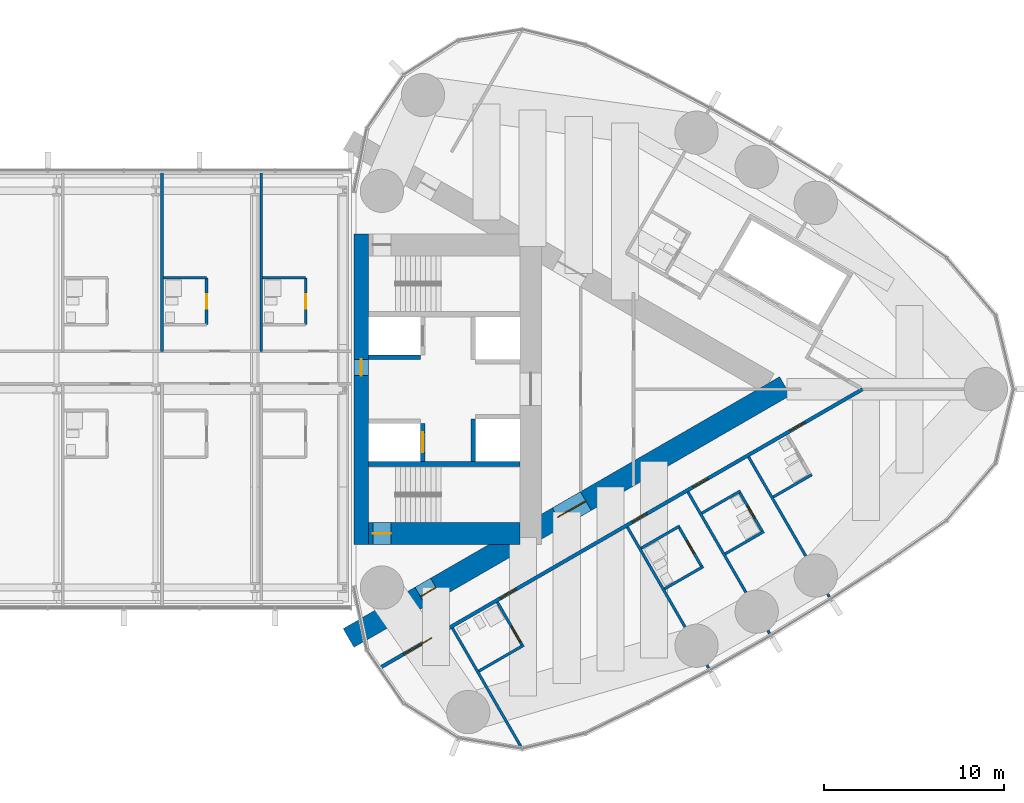
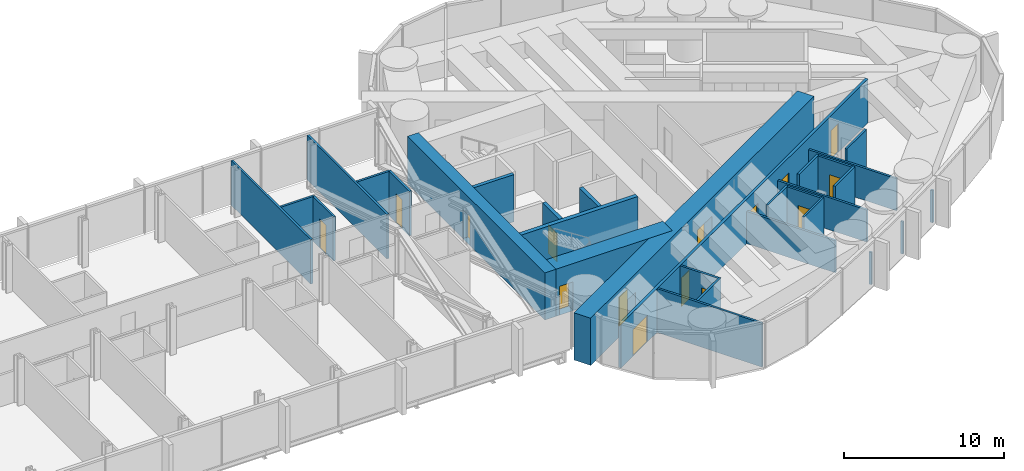
# One storey, part 19 of 23: 30 walls, 15 doors, 15 openings.
"""IFC4 building model written with IfcOpenShell, lengths in metres."""

from ifc_helpers import new_model, si_unit, direction, frame, frame_2d, origin, place, context, subcontext, project, spatial, rectangle, extrude, material, layer, layer_set, type_object, element, fill, save


model = new_model("IFC4")

# Units and contexts
model_context = context("Model", 3, precision=1e-05, world=origin(), true_north=direction((0.0, 1.0)))
body_context = subcontext(model_context, "Body", "Model", "MODEL_VIEW")
ifc_project = project(units=[si_unit("LENGTHUNIT", "METRE"), si_unit("AREAUNIT", "SQUARE_METRE"), si_unit("VOLUMEUNIT", "CUBIC_METRE"), si_unit("PLANEANGLEUNIT", "RADIAN"), si_unit("MASSUNIT", "GRAM", prefix="KILO")], contexts=[model_context])

# Site, building, storey
site_placement = place(None, origin())
site = spatial("IfcSite", under=ifc_project, at=site_placement, CompositionType="ELEMENT")
building_placement = place(site_placement, origin())
building = spatial("IfcBuilding", under=site, at=building_placement, Name="Lancet Gate Hotel", CompositionType="ELEMENT")
storey_placement = place(building_placement, frame((0.0, 0.0, 240.5)))
storey = spatial("IfcBuildingStorey", under=building, at=storey_placement, Name="L64", CompositionType="ELEMENT", Elevation=240.5)

# Wall
ifc_material_1 = material(Name="Moisture resistant board partition")
ifc_layer_1 = layer(ifc_material_1, 0.14990234375)
ifc_layer_set_1 = layer_set([ifc_layer_1], Name="Bathroom wall 150")
wall_type_1 = type_object("IfcWallType", Name="Bathroom wall 150", PredefinedType="PARTITIONING", material=ifc_layer_set_1)
wall_1_placement = place(storey_placement, frame((34.425048828125, -15.633056640625, 0.0), z_axis=(0.0, 0.0, 1.0), x_axis=(0.866018712932, 0.500011588718, 0.0)))
element("IfcWall", 1, at=wall_1_placement, inside=storey, type_object=wall_type_1, Name="T2 bathroom wall 150 L64", PredefinedType="PARTITIONING", context=body_context, shape_type="SweptSolid", body=[
    extrude(rectangle(XDim=2.875, YDim=0.14990234375, at=frame_2d((1.4375, 0.0))), origin(), (0.0, 0.0, 1.0), 3.35009765625),
])

# Wall, opening, door
wall_2_placement = place(storey_placement, frame((35.449951171875, -11.80810546875, 0.0), z_axis=(0.0, 0.0, 1.0), x_axis=(0.49994636267, -0.866056369097, 0.0)))
wall_2 = element("IfcWall", 2, at=wall_2_placement, inside=storey, type_object=wall_type_1, Name="T2 bathroom wall 150 L64", PredefinedType="PARTITIONING", context=body_context, shape_type="SweptSolid", body=[
    extrude(rectangle(XDim=2.800048828125, YDim=0.14990234375, at=frame_2d((1.39990234375, 0.0))), origin(), (0.0, 0.0, 1.0), 3.35009765625),
])
opening_1_placement = place(wall_2_placement, frame((1.550048828125, 0.0, 0.0)))
opening_1 = element("IfcOpeningElement", 3, at=opening_1_placement, cuts=wall_2, Name="Opening 6452-B", PredefinedType="OPENING", context=body_context, shape_type="SweptSolid", body=[
    extrude(rectangle(XDim=1.0, YDim=2.199951171875, at=frame_2d((0.5, 1.10009765625))), frame((0.0, 0.0849609375, 0.0), z_axis=(0.0, -1.0, 0.0), x_axis=(1.0, 0.0, 0.0)), (0.0, 0.0, 1.0), 0.169921875),
])
ifc_material_2 = material(Name="Timber door set", Category="wood")
door_type_1 = type_object("IfcDoorType", Name="Accessible en-suite door 1000", OperationType="SINGLE_SWING_RIGHT", PredefinedType="DOOR", material=ifc_material_2)
door_1_placement = place(opening_1_placement, origin())
door_1 = element("IfcDoor", 4, at=door_1_placement, inside=storey, type_object=door_type_1, Name="6452-B", OperationType="SINGLE_SWING_RIGHT", OverallHeight=2.199951171875, OverallWidth=1.0, PredefinedType="DOOR", context=body_context, shape_type="SweptSolid", body=[
    extrude(rectangle(XDim=1.0, YDim=2.199951171875, at=frame_2d((0.5, 1.10009765625))), frame((0.0, 0.02490234375, 0.0), z_axis=(0.0, -1.0, 0.0), x_axis=(1.0, 0.0, 0.0)), (0.0, 0.0, 1.0), 0.050048828125),
])
fill(opening_1, door_1)

# Wall
wall_3_placement = place(storey_placement, frame((44.724609375, -11.072265625, 0.0), z_axis=(0.0, 0.0, 1.0), x_axis=(0.866006523861, 0.500032699561, 0.0)))
element("IfcWall", 5, at=wall_3_placement, inside=storey, type_object=wall_type_1, Name="T2 bathroom wall 150 L64", PredefinedType="PARTITIONING", context=body_context, shape_type="SweptSolid", body=[
    extrude(rectangle(XDim=2.474853515625, YDim=0.14990234375, at=frame_2d((1.2373046875, 0.0))), origin(), (0.0, 0.0, 1.0), 3.35009765625),
])

# Wall, opening, door
wall_4_placement = place(storey_placement, frame((45.5029296875, -7.62060546875, 0.0), z_axis=(0.0, 0.0, 1.0), x_axis=(0.500006934395, -0.866021400173, 0.0)))
wall_4 = element("IfcWall", 6, at=wall_4_placement, inside=storey, type_object=wall_type_1, Name="T2 bathroom wall 150 L64", PredefinedType="PARTITIONING", context=body_context, shape_type="SweptSolid", body=[
    extrude(rectangle(XDim=2.60009765625, YDim=0.14990234375, at=frame_2d((1.300048828125, 0.0))), origin(), (0.0, 0.0, 1.0), 3.35009765625),
])
opening_2_placement = place(wall_4_placement, frame((0.89990234375, 0.0, 0.0)))
opening_2 = element("IfcOpeningElement", 7, at=opening_2_placement, cuts=wall_4, Name="Opening 6453-B", PredefinedType="OPENING", context=body_context, shape_type="SweptSolid", body=[
    extrude(rectangle(XDim=0.800048828125, YDim=2.199951171875, at=frame_2d((0.39990234375, 1.10009765625))), frame((0.0, 0.0849609375, 0.0), z_axis=(0.0, -1.0, 0.0), x_axis=(1.0, 0.0, 0.0)), (0.0, 0.0, 1.0), 0.169921875),
])
ifc_material_3 = material(Name="Timber door set", Category="wood")
door_type_2 = type_object("IfcDoorType", Name="Bathroom door 800", OperationType="SINGLE_SWING_RIGHT", PredefinedType="DOOR", material=ifc_material_3)
door_2_placement = place(opening_2_placement, origin())
door_2 = element("IfcDoor", 8, at=door_2_placement, inside=storey, type_object=door_type_2, Name="6453-B", OperationType="SINGLE_SWING_RIGHT", OverallHeight=2.199951171875, OverallWidth=0.800048828125, PredefinedType="DOOR", context=body_context, shape_type="SweptSolid", body=[
    extrude(rectangle(XDim=0.800048828125, YDim=2.199951171875, at=frame_2d((0.39990234375, 1.10009765625))), frame((0.0, 0.02490234375, 0.0), z_axis=(0.0, -1.0, 0.0), x_axis=(1.0, 0.0, 0.0)), (0.0, 0.0, 1.0), 0.050048828125),
])
fill(opening_2, door_2)

# Walls
for number, where, z_axis, x_axis, name in (
    (9, (43.424560546875, -8.820556640625, 0.0), (0.0, 0.0, 1.0), (0.866006523861, 0.500032699561, 0.0), "T2 bathroom wall 150 L64"),
    (10, (48.087890625, -9.13037109375, 0.0), (0.0, 0.0, 1.0), (0.86604923931, 0.499958713387, 0.0), "T2 bathroom wall 150 L64"),
):
    element("IfcWall", number, at=place(storey_placement, frame(where, z_axis=z_axis, x_axis=x_axis)), inside=storey, type_object=wall_type_1, Name=name, PredefinedType="PARTITIONING", context=body_context, shape_type="SweptSolid", body=[
        extrude(rectangle(XDim=2.474853515625, YDim=0.14990234375, at=frame_2d((1.2373046875, 0.0))), origin(), (0.0, 0.0, 1.0), 3.35009765625),
    ])

# Wall, opening, door
wall_5_placement = place(storey_placement, frame((48.8662109375, -5.6787109375, 0.0), z_axis=(0.0, 0.0, 1.0), x_axis=(0.500006934395, -0.866021400173, 0.0)))
wall_5 = element("IfcWall", 11, at=wall_5_placement, inside=storey, type_object=wall_type_1, Name="T2 bathroom wall 150 L64", PredefinedType="PARTITIONING", context=body_context, shape_type="SweptSolid", body=[
    extrude(rectangle(XDim=2.60009765625, YDim=0.14990234375, at=frame_2d((1.300048828125, 0.0))), origin(), (0.0, 0.0, 1.0), 3.35009765625),
])
opening_3_placement = place(wall_5_placement, frame((0.89990234375, 0.0, 0.0)))
opening_3 = element("IfcOpeningElement", 12, at=opening_3_placement, cuts=wall_5, Name="Opening 6454-B", PredefinedType="OPENING", context=body_context, shape_type="SweptSolid", body=[
    extrude(rectangle(XDim=0.800048828125, YDim=2.199951171875, at=frame_2d((0.39990234375, 1.10009765625))), frame((0.0, 0.0849609375, 0.0), z_axis=(0.0, -1.0, 0.0), x_axis=(1.0, 0.0, 0.0)), (0.0, 0.0, 1.0), 0.169921875),
])
door_3_placement = place(opening_3_placement, origin())
door_3 = element("IfcDoor", 13, at=door_3_placement, inside=storey, type_object=door_type_2, Name="6454-B", OperationType="SINGLE_SWING_RIGHT", OverallHeight=2.199951171875, OverallWidth=0.800048828125, PredefinedType="DOOR", context=body_context, shape_type="SweptSolid", body=[
    extrude(rectangle(XDim=0.800048828125, YDim=2.199951171875, at=frame_2d((0.39990234375, 1.10009765625))), frame((0.0, 0.02490234375, 0.0), z_axis=(0.0, -1.0, 0.0), x_axis=(1.0, 0.0, 0.0)), (0.0, 0.0, 1.0), 0.050048828125),
])
fill(opening_3, door_3)

# Walls
wall_6_placement = place(storey_placement, frame((46.787841796875, -6.87890625, 0.0), z_axis=(0.0, 0.0, 1.0), x_axis=(0.866006523861, 0.500032699561, 0.0)))
element("IfcWall", 14, at=wall_6_placement, inside=storey, type_object=wall_type_1, Name="T2 bathroom wall 150 L64", PredefinedType="PARTITIONING", context=body_context, shape_type="SweptSolid", body=[
    extrude(rectangle(XDim=2.474853515625, YDim=0.14990234375, at=frame_2d((1.2373046875, 0.0))), origin(), (0.0, 0.0, 1.0), 3.35009765625),
])
wall_7_placement = place(storey_placement, frame((50.75, -5.976806640625, 0.0), z_axis=(0.0, 0.0, 1.0), x_axis=(0.866031185235, 0.4999899861, 0.0)))
element("IfcWall", 15, at=wall_7_placement, inside=storey, type_object=wall_type_1, Name="T2 bathroom wall 150 L64", PredefinedType="PARTITIONING", context=body_context, shape_type="SweptSolid", body=[
    extrude(rectangle(XDim=2.47509765625, YDim=0.14990234375, at=frame_2d((1.237548828125, 0.0))), origin(), (0.0, 0.0, 1.0), 3.35009765625),
])
wall_8_placement = place(storey_placement, frame((16.925048828125, 6.175048828125, 0.0), z_axis=(0.0, 0.0, 1.0), x_axis=(1.0, 0.0, 0.0)))
element("IfcWall", 16, at=wall_8_placement, inside=storey, type_object=wall_type_1, Name="Bridge block bathroom wall 150 L64", PredefinedType="PARTITIONING", context=body_context, shape_type="SweptSolid", body=[
    extrude(rectangle(XDim=2.39990234375, YDim=0.14990234375, at=frame_2d((1.199951171875, 0.0))), origin(), (0.0, 0.0, 1.0), 3.39990234375),
])

# Wall, opening, door
wall_9_placement = place(storey_placement, frame((19.324951171875, 3.574951171875, 0.0), z_axis=(0.0, 0.0, 1.0), x_axis=(0.0, 1.0, 0.0)))
wall_9 = element("IfcWall", 17, at=wall_9_placement, inside=storey, type_object=wall_type_1, Name="Bridge block bathroom wall 150 L64", PredefinedType="PARTITIONING", context=body_context, shape_type="SweptSolid", body=[
    extrude(rectangle(XDim=2.60009765625, YDim=0.14990234375, at=frame_2d((1.300048828125, 0.0))), origin(), (0.0, 0.0, 1.0), 3.39990234375),
])
opening_4_placement = place(wall_9_placement, frame((0.89990234375, 0.0, 0.0)))
opening_4 = element("IfcOpeningElement", 18, at=opening_4_placement, cuts=wall_9, Name="Opening B6419-B", PredefinedType="OPENING", context=body_context, shape_type="SweptSolid", body=[
    extrude(rectangle(XDim=0.800048828125, YDim=2.199951171875, at=frame_2d((0.39990234375, 1.10009765625))), frame((0.0, 0.0849609375, 0.0), z_axis=(0.0, -1.0, 0.0), x_axis=(1.0, 0.0, 0.0)), (0.0, 0.0, 1.0), 0.169921875),
])
door_4_placement = place(opening_4_placement, origin())
door_4 = element("IfcDoor", 19, at=door_4_placement, inside=storey, type_object=door_type_2, Name="B6419-B", OperationType="SINGLE_SWING_RIGHT", OverallHeight=2.199951171875, OverallWidth=0.800048828125, PredefinedType="DOOR", context=body_context, shape_type="SweptSolid", body=[
    extrude(rectangle(XDim=0.800048828125, YDim=2.199951171875, at=frame_2d((0.39990234375, 1.10009765625))), frame((0.0, 0.02490234375, 0.0), z_axis=(0.0, -1.0, 0.0), x_axis=(1.0, 0.0, 0.0)), (0.0, 0.0, 1.0), 0.050048828125),
])
fill(opening_4, door_4)

# Wall
wall_10_placement = place(storey_placement, frame((22.425048828125, 6.175048828125, 0.0), z_axis=(0.0, 0.0, 1.0), x_axis=(1.0, 0.0, 0.0)))
element("IfcWall", 20, at=wall_10_placement, inside=storey, type_object=wall_type_1, Name="Bridge block bathroom wall 150 L64", PredefinedType="PARTITIONING", context=body_context, shape_type="SweptSolid", body=[
    extrude(rectangle(XDim=2.39990234375, YDim=0.14990234375, at=frame_2d((1.199951171875, 0.0))), origin(), (0.0, 0.0, 1.0), 3.39990234375),
])

# Wall, opening, door
wall_11_placement = place(storey_placement, frame((24.824951171875, 3.574951171875, 0.0), z_axis=(0.0, 0.0, 1.0), x_axis=(0.0, 1.0, 0.0)))
wall_11 = element("IfcWall", 21, at=wall_11_placement, inside=storey, type_object=wall_type_1, Name="Bridge block bathroom wall 150 L64", PredefinedType="PARTITIONING", context=body_context, shape_type="SweptSolid", body=[
    extrude(rectangle(XDim=2.60009765625, YDim=0.14990234375, at=frame_2d((1.300048828125, 0.0))), origin(), (0.0, 0.0, 1.0), 3.39990234375),
])
opening_5_placement = place(wall_11_placement, frame((0.89990234375, 0.0, 0.0)))
opening_5 = element("IfcOpeningElement", 22, at=opening_5_placement, cuts=wall_11, Name="Opening B6420-B", PredefinedType="OPENING", context=body_context, shape_type="SweptSolid", body=[
    extrude(rectangle(XDim=0.800048828125, YDim=2.199951171875, at=frame_2d((0.39990234375, 1.10009765625))), frame((0.0, 0.0849609375, 0.0), z_axis=(0.0, -1.0, 0.0), x_axis=(1.0, 0.0, 0.0)), (0.0, 0.0, 1.0), 0.169921875),
])
door_5_placement = place(opening_5_placement, origin())
door_5 = element("IfcDoor", 23, at=door_5_placement, inside=storey, type_object=door_type_2, Name="B6420-B", OperationType="SINGLE_SWING_RIGHT", OverallHeight=2.199951171875, OverallWidth=0.800048828125, PredefinedType="DOOR", context=body_context, shape_type="SweptSolid", body=[
    extrude(rectangle(XDim=0.800048828125, YDim=2.199951171875, at=frame_2d((0.39990234375, 1.10009765625))), frame((0.0, 0.02490234375, 0.0), z_axis=(0.0, -1.0, 0.0), x_axis=(1.0, 0.0, 0.0)), (0.0, 0.0, 1.0), 0.050048828125),
])
fill(opening_5, door_5)

# Wall, openings, doors
ifc_material_4 = material(Name="Concrete C70/85", Category="concrete")
ifc_layer_2 = layer(ifc_material_4, 1.199951171875)
ifc_layer_set_2 = layer_set([ifc_layer_2], Name="Buttress wall 1200")
wall_type_2 = type_object("IfcWallType", Name="Buttress wall 1200", PredefinedType="SHEAR", material=ifc_layer_set_2)
wall_12_placement = place(storey_placement, frame((27.199951171875, -13.800048828125, 0.0), z_axis=(0.0, 0.0, 1.0), x_axis=(0.866027159892, 0.499996958321, 0.0)))
wall_12 = element("IfcWall", 24, at=wall_12_placement, inside=storey, type_object=wall_type_2, Name="T2 buttress wall S L64", PredefinedType="SHEAR", context=body_context, shape_type="SweptSolid", body=[
    extrude(rectangle(XDim=27.946533203125, YDim=1.199951171875, at=frame_2d((13.97314453125, 0.0))), origin(), (0.0, 0.0, 1.0), 3.60009765625),
])
opening_6_placement = place(wall_12_placement, frame((4.60009765625, 0.0, 0.0)))
opening_6 = element("IfcOpeningElement", 25, at=opening_6_placement, cuts=wall_12, Name="Opening T2-L64-LS", PredefinedType="OPENING", context=body_context, shape_type="SweptSolid", body=[
    extrude(rectangle(XDim=1.0, YDim=2.199951171875, at=frame_2d((0.5, 1.10009765625))), frame((0.0, 0.60986328125, 0.0), z_axis=(0.0, -1.0, 0.0), x_axis=(1.0, 0.0, 0.0)), (0.0, 0.0, 1.0), 1.219970703125),
])
opening_7_placement = place(wall_12_placement, frame((13.39453125, 0.0, 0.0)))
opening_7 = element("IfcOpeningElement", 26, at=opening_7_placement, cuts=wall_12, Name="Opening T2-L64-LHS", PredefinedType="OPENING", context=body_context, shape_type="SweptSolid", body=[
    extrude(rectangle(XDim=1.800048828125, YDim=2.199951171875, at=frame_2d((0.89990234375, 1.10009765625))), frame((0.0, 0.60986328125, 0.0), z_axis=(0.0, -1.0, 0.0), x_axis=(1.0, 0.0, 0.0)), (0.0, 0.0, 1.0), 1.219970703125),
])
ifc_material_5 = material(Name="Timber door set", Category="wood")
door_type_3 = type_object("IfcDoorType", Name="Lobby double door 1800", OperationType="DOUBLE_DOOR_SINGLE_SWING", PredefinedType="DOOR", material=ifc_material_5)
door_6_placement = place(opening_7_placement, origin())
door_6 = element("IfcDoor", 27, at=door_6_placement, inside=storey, type_object=door_type_3, Name="T2-L64-LHS", OperationType="DOUBLE_DOOR_SINGLE_SWING", OverallHeight=2.199951171875, OverallWidth=1.800048828125, PredefinedType="DOOR", context=body_context, shape_type="SweptSolid", body=[
    extrude(rectangle(XDim=1.800048828125, YDim=2.199951171875, at=frame_2d((0.89990234375, 1.10009765625))), frame((0.0, 0.02490234375, 0.0), z_axis=(0.0, -1.0, 0.0), x_axis=(1.0, 0.0, 0.0)), (0.0, 0.0, 1.0), 0.050048828125),
])
fill(opening_7, door_6)
ifc_material_6 = material(Name="Timber door set", Category="wood")
door_type_4 = type_object("IfcDoorType", Name="Stair lobby door 1000", OperationType="SINGLE_SWING_LEFT", PredefinedType="DOOR", material=ifc_material_6)
door_7_placement = place(opening_6_placement, origin())
door_7 = element("IfcDoor", 28, at=door_7_placement, inside=storey, type_object=door_type_4, Name="T2-L64-LS", OperationType="SINGLE_SWING_LEFT", OverallHeight=2.199951171875, OverallWidth=1.0, PredefinedType="DOOR", context=body_context, shape_type="SweptSolid", body=[
    extrude(rectangle(XDim=1.0, YDim=2.199951171875, at=frame_2d((0.5, 1.10009765625))), frame((0.0, 0.02490234375, 0.0), z_axis=(0.0, -1.0, 0.0), x_axis=(1.0, 0.0, 0.0)), (0.0, 0.0, 1.0), 0.050048828125),
])
fill(opening_6, door_7)

# Wall, opening, door
ifc_material_7 = material(Name="Concrete C70/85", Category="concrete")
ifc_layer_3 = layer(ifc_material_7, 1.199951171875)
ifc_layer_set_3 = layer_set([ifc_layer_3], Name="Core wall 1200")
wall_type_3 = type_object("IfcWallType", Name="Core wall 1200", PredefinedType="SHEAR", material=ifc_layer_set_3)
wall_13_placement = place(storey_placement, frame((28.300048828125, -8.0, 0.0), z_axis=(0.0, 0.0, 1.0), x_axis=(1.0, 0.0, 0.0)))
wall_13 = element("IfcWall", 29, at=wall_13_placement, inside=storey, type_object=wall_type_3, Name="T2 core wall side-S L64", PredefinedType="SHEAR", context=body_context, shape_type="SweptSolid", body=[
    extrude(rectangle(XDim=8.39990234375, YDim=1.199951171875, at=frame_2d((4.199951171875, 0.0))), origin(), (0.0, 0.0, 1.0), 3.60009765625),
])
opening_8_placement = place(wall_13_placement, frame((0.25, 0.0, 0.0)))
opening_8 = element("IfcOpeningElement", 30, at=opening_8_placement, cuts=wall_13, Name="Opening T2-L64-ST1", PredefinedType="OPENING", context=body_context, shape_type="SweptSolid", body=[
    extrude(rectangle(XDim=1.0, YDim=2.199951171875, at=frame_2d((0.5, 1.10009765625))), frame((0.0, 0.60986328125, 0.0), z_axis=(0.0, -1.0, 0.0), x_axis=(1.0, 0.0, 0.0)), (0.0, 0.0, 1.0), 1.219970703125),
])
ifc_material_8 = material(Name="Timber door set", Category="wood")
door_type_5 = type_object("IfcDoorType", Name="Stair door 1000", OperationType="SINGLE_SWING_RIGHT", PredefinedType="DOOR", material=ifc_material_8)
door_8_placement = place(opening_8_placement, origin())
door_8 = element("IfcDoor", 31, at=door_8_placement, inside=storey, type_object=door_type_5, Name="T2-L64-ST1", OperationType="SINGLE_SWING_RIGHT", OverallHeight=2.199951171875, OverallWidth=1.0, PredefinedType="DOOR", context=body_context, shape_type="SweptSolid", body=[
    extrude(rectangle(XDim=1.0, YDim=2.199951171875, at=frame_2d((0.5, 1.10009765625))), frame((0.0, 0.02490234375, 0.0), z_axis=(0.0, -1.0, 0.0), x_axis=(1.0, 0.0, 0.0)), (0.0, 0.0, 1.0), 0.050048828125),
])
fill(opening_8, door_8)

ifc_material_9 = material(Name="Concrete C70/85", Category="concrete")
ifc_layer_4 = layer(ifc_material_9, 0.800048828125)
ifc_layer_set_4 = layer_set([ifc_layer_4], Name="Core wall 800")
wall_type_4 = type_object("IfcWallType", Name="Core wall 800", PredefinedType="SHEAR", material=ifc_layer_set_4)
wall_14_placement = place(storey_placement, frame((27.89990234375, -8.60009765625, 0.0), z_axis=(0.0, 0.0, 1.0), x_axis=(0.0, 1.0, 0.0)))
wall_14 = element("IfcWall", 32, at=wall_14_placement, inside=storey, type_object=wall_type_4, Name="T2 core wall front L64", PredefinedType="SHEAR", context=body_context, shape_type="SweptSolid", body=[
    extrude(rectangle(XDim=17.2001953125, YDim=0.800048828125, at=frame_2d((8.60009765625, 0.0))), origin(), (0.0, 0.0, 1.0), 3.60009765625),
])
opening_9_placement = place(wall_14_placement, frame((9.35009765625, 0.0, 0.0)))
opening_9 = element("IfcOpeningElement", 33, at=opening_9_placement, cuts=wall_14, Name="Opening T2-L64-BR", PredefinedType="OPENING", context=body_context, shape_type="SweptSolid", body=[
    extrude(rectangle(XDim=0.89990234375, YDim=2.199951171875, at=frame_2d((0.449951171875, 1.10009765625))), frame((0.0, 0.409912109375, 0.0), z_axis=(0.0, -1.0, 0.0), x_axis=(1.0, 0.0, 0.0)), (0.0, 0.0, 1.0), 0.820068359375),
])
ifc_material_10 = material(Name="Steel door set", Category="steel")
door_type_6 = type_object("IfcDoorType", Name="Bridge fire door 900", OperationType="SINGLE_SWING_LEFT", PredefinedType="DOOR", material=ifc_material_10)
door_9_placement = place(opening_9_placement, origin())
door_9 = element("IfcDoor", 34, at=door_9_placement, inside=storey, type_object=door_type_6, Name="T2-L64-BR", OperationType="SINGLE_SWING_LEFT", OverallHeight=2.199951171875, OverallWidth=0.89990234375, PredefinedType="DOOR", context=body_context, shape_type="SweptSolid", body=[
    extrude(rectangle(XDim=0.89990234375, YDim=2.199951171875, at=frame_2d((0.449951171875, 1.10009765625))), frame((0.0, 0.02490234375, 0.0), z_axis=(0.0, -1.0, 0.0), x_axis=(1.0, 0.0, 0.0)), (0.0, 0.0, 1.0), 0.050048828125),
])
fill(opening_9, door_9)

# Wall, openings, doors
ifc_material_11 = material(Name="Gypsum board partition")
ifc_layer_5 = layer(ifc_material_11, 0.199951171875)
ifc_layer_set_5 = layer_set([ifc_layer_5], Name="Corridor wall 200")
wall_type_5 = type_object("IfcWallType", Name="Corridor wall 200", PredefinedType="PARTITIONING", material=ifc_layer_set_5)
wall_15_placement = place(storey_placement, frame((28.958984375, -15.440185546875, 0.0), z_axis=(0.0, 0.0, 1.0), x_axis=(0.866025227435, 0.500000305447, 0.0)))
wall_15 = element("IfcWall", 35, at=wall_15_placement, inside=storey, type_object=wall_type_5, Name="T2 corridor wall 200 L64", PredefinedType="PARTITIONING", context=body_context, shape_type="SweptSolid", body=[
    extrude(rectangle(XDim=30.88037109375, YDim=0.199951171875, at=frame_2d((15.440185546875, 0.0))), origin(), (0.0, 0.0, 1.0), 3.35009765625),
])
opening_10_placement = place(wall_15_placement, frame((1.49365234375, 0.0, 0.0)))
opening_10 = element("IfcOpeningElement", 36, at=opening_10_placement, cuts=wall_15, Name="Opening 6451-E", PredefinedType="OPENING", context=body_context, shape_type="SweptSolid", body=[
    extrude(rectangle(XDim=1.800048828125, YDim=2.030029296875, at=frame_2d((0.89990234375, 1.01513671875))), frame((0.0, 0.10986328125, 0.0), z_axis=(0.0, -1.0, 0.0), x_axis=(1.0, 0.0, 0.0)), (0.0, 0.0, 1.0), 0.219970703125),
])
opening_11_placement = place(wall_15_placement, frame((7.687255859375, 0.0, 0.0)))
opening_11 = element("IfcOpeningElement", 37, at=opening_11_placement, cuts=wall_15, Name="Opening 6452-E", PredefinedType="OPENING", context=body_context, shape_type="SweptSolid", body=[
    extrude(rectangle(XDim=1.0, YDim=2.199951171875, at=frame_2d((0.5, 1.10009765625))), frame((0.0, 0.10986328125, 0.0), z_axis=(0.0, -1.0, 0.0), x_axis=(1.0, 0.0, 0.0)), (0.0, 0.0, 1.0), 0.219970703125),
])
opening_12_placement = place(wall_15_placement, frame((16.13720703125, 0.0, 0.0)))
opening_12 = element("IfcOpeningElement", 38, at=opening_12_placement, cuts=wall_15, Name="Opening 6453-E", PredefinedType="OPENING", context=body_context, shape_type="SweptSolid", body=[
    extrude(rectangle(XDim=0.949951171875, YDim=2.199951171875, at=frame_2d((0.47509765625, 1.10009765625))), frame((0.0, 0.10986328125, 0.0), z_axis=(0.0, -1.0, 0.0), x_axis=(1.0, 0.0, 0.0)), (0.0, 0.0, 1.0), 0.219970703125),
])
opening_13_placement = place(wall_15_placement, frame((20.020751953125, 0.0, 0.0)))
opening_13 = element("IfcOpeningElement", 39, at=opening_13_placement, cuts=wall_15, Name="Opening 6454-E", PredefinedType="OPENING", context=body_context, shape_type="SweptSolid", body=[
    extrude(rectangle(XDim=0.949951171875, YDim=2.199951171875, at=frame_2d((0.47509765625, 1.10009765625))), frame((0.0, 0.10986328125, 0.0), z_axis=(0.0, -1.0, 0.0), x_axis=(1.0, 0.0, 0.0)), (0.0, 0.0, 1.0), 0.219970703125),
])
opening_14_placement = place(wall_15_placement, frame((26.25341796875, 0.0, 0.0)))
opening_14 = element("IfcOpeningElement", 40, at=opening_14_placement, cuts=wall_15, Name="Opening 6455-E", PredefinedType="OPENING", context=body_context, shape_type="SweptSolid", body=[
    extrude(rectangle(XDim=0.949951171875, YDim=2.199951171875, at=frame_2d((0.47509765625, 1.10009765625))), frame((0.0, 0.10986328125, 0.0), z_axis=(0.0, -1.0, 0.0), x_axis=(1.0, 0.0, 0.0)), (0.0, 0.0, 1.0), 0.219970703125),
])
ifc_material_12 = material(Name="Timber door set", Category="wood")
door_type_7 = type_object("IfcDoorType", Name="Accessible guest room door 1000", OperationType="SINGLE_SWING_LEFT", PredefinedType="DOOR", material=ifc_material_12)
door_10_placement = place(opening_11_placement, origin())
door_10 = element("IfcDoor", 41, at=door_10_placement, inside=storey, type_object=door_type_7, Name="6452-E", OperationType="SINGLE_SWING_LEFT", OverallHeight=2.199951171875, OverallWidth=1.0, PredefinedType="DOOR", context=body_context, shape_type="SweptSolid", body=[
    extrude(rectangle(XDim=1.0, YDim=2.199951171875, at=frame_2d((0.5, 1.10009765625))), frame((0.0, 0.02490234375, 0.0), z_axis=(0.0, -1.0, 0.0), x_axis=(1.0, 0.0, 0.0)), (0.0, 0.0, 1.0), 0.050048828125),
])
fill(opening_11, door_10)
ifc_material_13 = material(Name="Timber door set", Category="wood")
door_type_8 = type_object("IfcDoorType", Name="Double door 1800, 2030 high", OperationType="DOUBLE_DOOR_SINGLE_SWING", PredefinedType="DOOR", material=ifc_material_13)
door_11_placement = place(opening_10_placement, origin())
door_11 = element("IfcDoor", 42, at=door_11_placement, inside=storey, type_object=door_type_8, Name="6451-E", OperationType="DOUBLE_DOOR_SINGLE_SWING", OverallHeight=2.030029296875, OverallWidth=1.800048828125, PredefinedType="DOOR", context=body_context, shape_type="SweptSolid", body=[
    extrude(rectangle(XDim=1.800048828125, YDim=2.030029296875, at=frame_2d((0.89990234375, 1.01513671875))), frame((0.0, 0.02490234375, 0.0), z_axis=(0.0, -1.0, 0.0), x_axis=(1.0, 0.0, 0.0)), (0.0, 0.0, 1.0), 0.050048828125),
])
fill(opening_10, door_11)
ifc_material_14 = material(Name="Timber door set", Category="wood")
door_type_9 = type_object("IfcDoorType", Name="Guest room entry door 950", OperationType="SINGLE_SWING_LEFT", PredefinedType="DOOR", material=ifc_material_14)
door_12_placement = place(opening_12_placement, origin())
door_12 = element("IfcDoor", 43, at=door_12_placement, inside=storey, type_object=door_type_9, Name="6453-E", OperationType="SINGLE_SWING_LEFT", OverallHeight=2.199951171875, OverallWidth=0.949951171875, PredefinedType="DOOR", context=body_context, shape_type="SweptSolid", body=[
    extrude(rectangle(XDim=0.949951171875, YDim=2.199951171875, at=frame_2d((0.47509765625, 1.10009765625))), frame((0.0, 0.02490234375, 0.0), z_axis=(0.0, -1.0, 0.0), x_axis=(1.0, 0.0, 0.0)), (0.0, 0.0, 1.0), 0.050048828125),
])
fill(opening_12, door_12)
door_13_placement = place(opening_13_placement, origin())
door_13 = element("IfcDoor", 44, at=door_13_placement, inside=storey, type_object=door_type_9, Name="6454-E", OperationType="SINGLE_SWING_LEFT", OverallHeight=2.199951171875, OverallWidth=0.949951171875, PredefinedType="DOOR", context=body_context, shape_type="SweptSolid", body=[
    extrude(rectangle(XDim=0.949951171875, YDim=2.199951171875, at=frame_2d((0.47509765625, 1.10009765625))), frame((0.0, 0.02490234375, 0.0), z_axis=(0.0, -1.0, 0.0), x_axis=(1.0, 0.0, 0.0)), (0.0, 0.0, 1.0), 0.050048828125),
])
fill(opening_13, door_13)
door_14_placement = place(opening_14_placement, origin())
door_14 = element("IfcDoor", 45, at=door_14_placement, inside=storey, type_object=door_type_9, Name="6455-E", OperationType="SINGLE_SWING_LEFT", OverallHeight=2.199951171875, OverallWidth=0.949951171875, PredefinedType="DOOR", context=body_context, shape_type="SweptSolid", body=[
    extrude(rectangle(XDim=0.949951171875, YDim=2.199951171875, at=frame_2d((0.47509765625, 1.10009765625))), frame((0.0, 0.02490234375, 0.0), z_axis=(0.0, -1.0, 0.0), x_axis=(1.0, 0.0, 0.0)), (0.0, 0.0, 1.0), 0.050048828125),
])
fill(opening_14, door_14)

# Wall, opening, door
ifc_material_15 = material(Name="Concrete C50/60", Category="concrete")
ifc_layer_6 = layer(ifc_material_15, 0.25)
ifc_layer_set_6 = layer_set([ifc_layer_6], Name="Lift shaft wall 250")
wall_type_6 = type_object("IfcWallType", Name="Lift shaft wall 250", PredefinedType="SHEAR", material=ifc_layer_set_6)
wall_16_placement = place(storey_placement, frame((31.324951171875, -4.0, 0.0), z_axis=(0.0, 0.0, 1.0), x_axis=(0.0, 1.0, 0.0)))
wall_16 = element("IfcWall", 46, at=wall_16_placement, inside=storey, type_object=wall_type_6, Name="T2 core wall row1-S L64", PredefinedType="SHEAR", context=body_context, shape_type="SweptSolid", body=[
    extrude(rectangle(XDim=2.10009765625, YDim=0.25, at=frame_2d((1.050048828125, 0.0))), origin(), (0.0, 0.0, 1.0), 3.60009765625),
])
opening_15_placement = place(wall_16_placement, frame((0.5, 0.0, 0.0)))
opening_15 = element("IfcOpeningElement", 47, at=opening_15_placement, cuts=wall_16, Name="Opening T2-SL1-L64", PredefinedType="OPENING", context=body_context, shape_type="SweptSolid", body=[
    extrude(rectangle(XDim=1.10009765625, YDim=2.199951171875, at=frame_2d((0.550048828125, 1.10009765625))), frame((0.0, 0.135009765625, 0.0), z_axis=(0.0, -1.0, 0.0), x_axis=(1.0, 0.0, 0.0)), (0.0, 0.0, 1.0), 0.27001953125),
])
ifc_material_16 = material(Name="Timber door set", Category="wood")
door_type_10 = type_object("IfcDoorType", Name="Service lift landing door 1100", OperationType="SLIDING_TO_LEFT", PredefinedType="USERDEFINED", material=ifc_material_16)
door_15_placement = place(opening_15_placement, origin())
door_15 = element("IfcDoor", 48, at=door_15_placement, inside=storey, type_object=door_type_10, Name="T2-SL1-L64", ObjectType="LIFT LANDING DOOR", OperationType="SLIDING_TO_LEFT", OverallHeight=2.199951171875, OverallWidth=1.10009765625, PredefinedType="USERDEFINED", context=body_context, shape_type="SweptSolid", body=[
    extrude(rectangle(XDim=1.10009765625, YDim=2.199951171875, at=frame_2d((0.550048828125, 1.10009765625))), frame((0.0, 0.02490234375, 0.0), z_axis=(0.0, -1.0, 0.0), x_axis=(1.0, 0.0, 0.0)), (0.0, 0.0, 1.0), 0.050048828125),
])
fill(opening_15, door_15)

# Walls
wall_17_placement = place(storey_placement, frame((34.125, -4.0, 0.0), z_axis=(0.0, 0.0, 1.0), x_axis=(0.0, 1.0, 0.0)))
element("IfcWall", 49, at=wall_17_placement, inside=storey, type_object=wall_type_6, Name="T2 core wall row2-S L64", PredefinedType="SHEAR", context=body_context, shape_type="SweptSolid", body=[
    extrude(rectangle(XDim=2.35009765625, YDim=0.25, at=frame_2d((1.175048828125, 0.0))), origin(), (0.0, 0.0, 1.0), 3.60009765625),
])
wall_18_placement = place(storey_placement, frame((28.300048828125, 1.77490234375, 0.0), z_axis=(0.0, 0.0, 1.0), x_axis=(1.0, 0.0, 0.0)))
element("IfcWall", 50, at=wall_18_placement, inside=storey, type_object=wall_type_6, Name="T2 core wall pass1-N L64", PredefinedType="SHEAR", context=body_context, shape_type="SweptSolid", body=[
    extrude(rectangle(XDim=2.89990234375, YDim=0.25, at=frame_2d((1.449951171875, 0.0))), origin(), (0.0, 0.0, 1.0), 3.60009765625),
])
ifc_material_17 = material(Name="Gypsum board partition")
ifc_layer_7 = layer(ifc_material_17, 0.14990234375)
ifc_layer_set_7 = layer_set([ifc_layer_7], Name="Party wall 150")
wall_type_7 = type_object("IfcWallType", Name="Party wall 150", PredefinedType="PARTITIONING", material=ifc_layer_set_7)
wall_19_placement = place(storey_placement, frame((32.9599609375, -13.24560546875, 0.0), z_axis=(0.0, 0.0, 1.0), x_axis=(0.500000236886, -0.866025267018, 0.0)))
element("IfcWall", 51, at=wall_19_placement, inside=storey, type_object=wall_type_7, Name="T2 party wall 150 L64", PredefinedType="PARTITIONING", context=body_context, shape_type="SweptSolid", body=[
    extrude(rectangle(XDim=7.58251953125, YDim=0.14990234375, at=frame_2d((3.791259765625, 0.0))), origin(), (0.0, 0.0, 1.0), 3.35009765625),
])
wall_20_placement = place(storey_placement, frame((42.65966796875, -7.6455078125, 0.0), z_axis=(0.0, 0.0, 1.0), x_axis=(0.499996592859, -0.866027370889, 0.0)))
element("IfcWall", 52, at=wall_20_placement, inside=storey, type_object=wall_type_7, Name="T2 party wall 150 L64", PredefinedType="PARTITIONING", context=body_context, shape_type="SweptSolid", body=[
    extrude(rectangle(XDim=6.3984375, YDim=0.14990234375, at=frame_2d((3.19921875, 0.0))), origin(), (0.0, 0.0, 1.0), 2.449951171875),
])
wall_21_placement = place(storey_placement, frame((47.078857421875, -15.2998046875, 0.0), z_axis=(0.0, 0.0, 1.0), x_axis=(0.499212083968, -0.866479829667, 0.0)))
element("IfcWall", 53, at=wall_21_placement, inside=storey, type_object=wall_type_7, Name="T2 party wall 150 L64", PredefinedType="PARTITIONING", context=body_context, shape_type="SweptSolid", body=[
    extrude(rectangle(XDim=0.179443359375, YDim=0.14990234375, at=frame_2d((0.08984375, 0.0))), origin(), (0.0, 0.0, 1.0), 2.449951171875),
])
wall_22_placement = place(storey_placement, frame((46.02294921875, -5.703857421875, 0.0), z_axis=(0.0, 0.0, 1.0), x_axis=(0.499984478165, -0.866034365135, 0.0)))
element("IfcWall", 54, at=wall_22_placement, inside=storey, type_object=wall_type_7, Name="T2 party wall 150 L64", PredefinedType="PARTITIONING", context=body_context, shape_type="SweptSolid", body=[
    extrude(rectangle(XDim=6.425537109375, YDim=0.14990234375, at=frame_2d((3.212890625, 0.0))), origin(), (0.0, 0.0, 1.0), 2.449951171875),
])
wall_23_placement = place(storey_placement, frame((50.45556640625, -13.381591796875, 0.0), z_axis=(0.0, 0.0, 1.0), x_axis=(0.500661834965, -0.865642955848, 0.0)))
element("IfcWall", 55, at=wall_23_placement, inside=storey, type_object=wall_type_7, Name="T2 party wall 150 L64", PredefinedType="PARTITIONING", context=body_context, shape_type="SweptSolid", body=[
    extrude(rectangle(XDim=0.179931640625, YDim=0.14990234375, at=frame_2d((0.08984375, 0.0))), origin(), (0.0, 0.0, 1.0), 2.449951171875),
])
wall_24_placement = place(storey_placement, frame((49.38525390625, -3.7626953125, 0.0), z_axis=(0.0, 0.0, 1.0), x_axis=(0.499999447814, -0.866025722589, 0.0)))
element("IfcWall", 56, at=wall_24_placement, inside=storey, type_object=wall_type_7, Name="T2 party wall 150 L64", PredefinedType="PARTITIONING", context=body_context, shape_type="SweptSolid", body=[
    extrude(rectangle(XDim=6.33251953125, YDim=0.14990234375, at=frame_2d((3.166259765625, 0.0))), origin(), (0.0, 0.0, 1.0), 2.449951171875),
])
wall_25_placement = place(storey_placement, frame((53.771484375, -11.35986328125, 0.0), z_axis=(0.0, 0.0, 1.0), x_axis=(0.499524978789, -0.866299483762, 0.0)))
element("IfcWall", 57, at=wall_25_placement, inside=storey, type_object=wall_type_7, Name="T2 party wall 150 L64", PredefinedType="PARTITIONING", context=body_context, shape_type="SweptSolid", body=[
    extrude(rectangle(XDim=0.178466796875, YDim=0.14990234375, at=frame_2d((0.08935546875, 0.0))), origin(), (0.0, 0.0, 1.0), 2.449951171875),
])
for number, where, z_axis, x_axis, name in (
    (58, (16.85009765625, 2.10009765625, 0.0), (0.0, 0.0, 1.0), (0.0, 1.0, 0.0), "Bridge block party wall 150 L64"),
    (59, (22.35009765625, 2.10009765625, 0.0), (0.0, 0.0, 1.0), (0.0, 1.0, 0.0), "Bridge block party wall 150 L64"),
):
    element("IfcWall", number, at=place(storey_placement, frame(where, z_axis=z_axis, x_axis=x_axis)), inside=storey, type_object=wall_type_7, Name=name, PredefinedType="PARTITIONING", context=body_context, shape_type="SweptSolid", body=[
        extrude(rectangle(XDim=9.969970703125, YDim=0.14990234375, at=frame_2d((4.98486328125, 0.0))), origin(), (0.0, 0.0, 1.0), 3.39990234375),
    ])
ifc_material_18 = material(Name="Concrete C50/60", Category="concrete")
ifc_layer_8 = layer(ifc_material_18, 0.300048828125)
ifc_layer_set_8 = layer_set([ifc_layer_8], Name="Stair enclosure wall 300")
wall_type_8 = type_object("IfcWallType", Name="Stair enclosure wall 300", PredefinedType="SHEAR", material=ifc_layer_set_8)
wall_26_placement = place(storey_placement, frame((28.300048828125, -4.14990234375, 0.0), z_axis=(0.0, 0.0, 1.0), x_axis=(1.0, 0.0, 0.0)))
element("IfcWall", 60, at=wall_26_placement, inside=storey, type_object=wall_type_8, Name="T2 core wall stair-S L64", PredefinedType="SHEAR", context=body_context, shape_type="SweptSolid", body=[
    extrude(rectangle(XDim=8.39990234375, YDim=0.300048828125, at=frame_2d((4.199951171875, 0.0))), origin(), (0.0, 0.0, 1.0), 3.60009765625),
])

save(model, "model.ifc")
